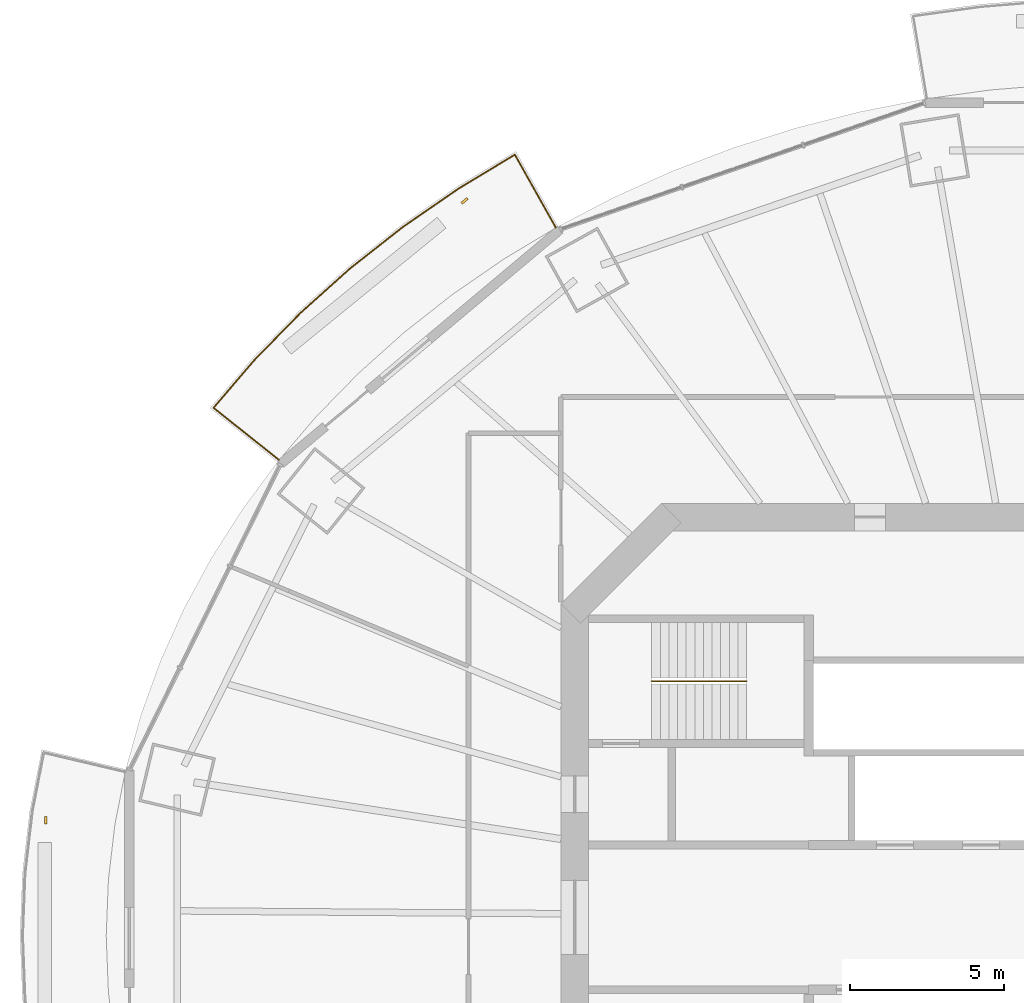
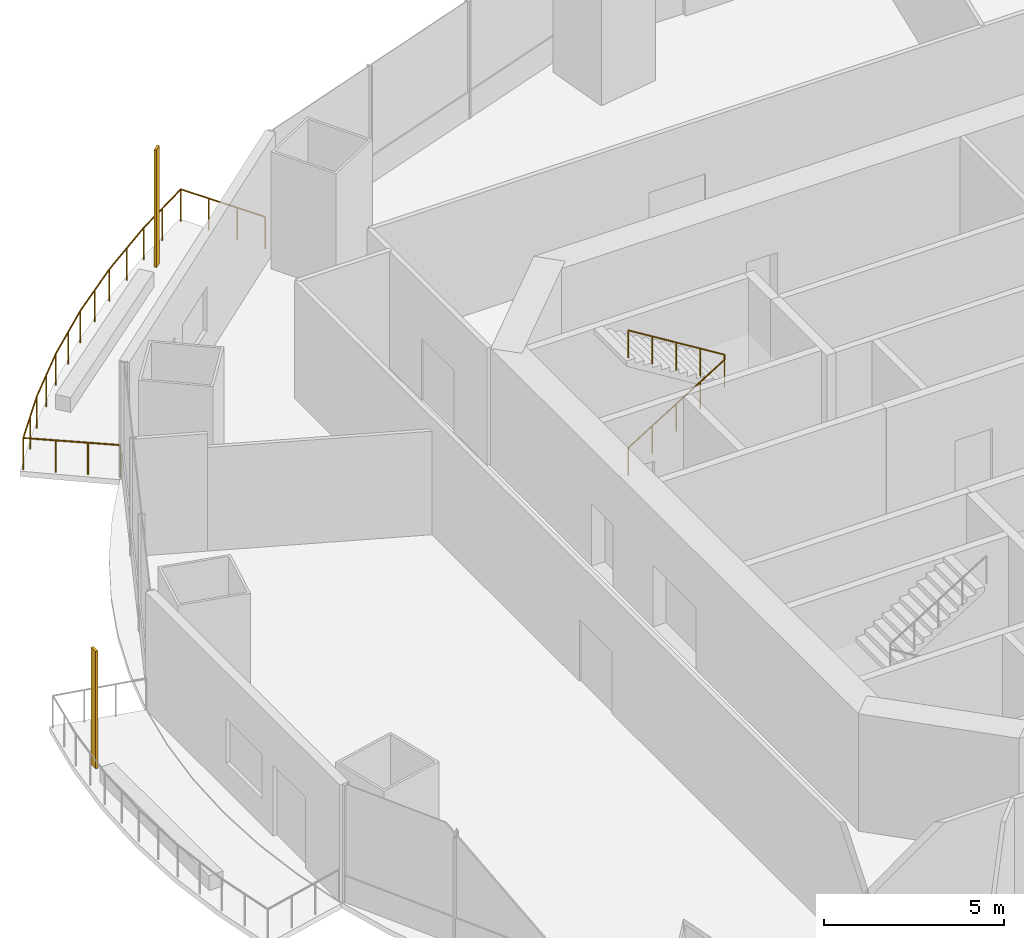
# One storey, part 18 of 21: 2 railings, 2 shading devices.
"""IFC4 building model written with IfcOpenShell, lengths in metres."""

from ifc_helpers import new_model, si_unit, direction, frame, origin, origin_2d, place, context, subcontext, project, spatial, rectangle, circle, extrude, material, material_profile, profile_set, type_object, element, save


model = new_model("IFC4")

# Units and contexts
model_context = context("Model", 3, precision=1e-05, world=origin(), true_north=direction((0.0, 1.0)))
body_context = subcontext(model_context, "Body", "Model", "MODEL_VIEW")
ifc_project = project(units=[si_unit("LENGTHUNIT", "METRE"), si_unit("AREAUNIT", "SQUARE_METRE"), si_unit("VOLUMEUNIT", "CUBIC_METRE"), si_unit("PLANEANGLEUNIT", "RADIAN"), si_unit("MASSUNIT", "GRAM", prefix="KILO")], contexts=[model_context])

# Site, building, storey
site_placement = place(None, origin())
site = spatial("IfcSite", under=ifc_project, at=site_placement, CompositionType="ELEMENT")
building_placement = place(site_placement, origin())
building = spatial("IfcBuilding", under=site, at=building_placement, Name="Marenthal Gate Tower", CompositionType="ELEMENT")
storey_placement = place(building_placement, frame((0.0, 0.0, 169.35009765625)))
storey = spatial("IfcBuildingStorey", under=building, at=storey_placement, Name="L36", CompositionType="ELEMENT", Elevation=169.35009765625)

# Railings
ifc_material_1 = material(Name="Stainless steel", Category="steel")
railing_type_1 = type_object("IfcRailingType", Name="Balcony guard 1100", PredefinedType="GUARDRAIL", material=ifc_material_1)
railing_1_placement = place(storey_placement, frame((-25.6044921875, 14.858642578125, 0.0)))
element("IfcRailing", 1, at=railing_1_placement, inside=storey, type_object=railing_type_1, Name="Balcony guard L36 bay 6", PredefinedType="GUARDRAIL", context=body_context, shape_type="SweptSolid", body=[
    extrude(circle(Radius=0.02392578125, at=origin_2d()), frame((0.0, 0.0, 1.076171875), z_axis=(-0.782541115897, 0.622424892619, -0.014719204382), x_axis=(-0.622492329303, -0.782625900388, 0.0)), (0.0, 0.0, 1.0), 2.72021484375),
    extrude(circle(Radius=0.02392578125, at=origin_2d()), frame((-2.128662109375, 1.693115234375, 1.0361328125), z_axis=(0.650279703498, 0.759694877709, 0.0), x_axis=(-0.759694877709, 0.650279703498, 0.0)), (0.0, 0.0, 1.0), 2.0439453125),
    extrude(circle(Radius=0.02392578125, at=origin_2d()), frame((-0.799560546875, 3.245849609375, 1.0361328125), z_axis=(0.699140939345, 0.714983878792, 0.0), x_axis=(-0.714983878792, 0.699140939345, 0.0)), (0.0, 0.0, 1.0), 2.14208984375),
    extrude(circle(Radius=0.02392578125, at=origin_2d()), frame((0.697998046875, 4.77734375, 1.0361328125), z_axis=(0.744641092112, 0.66746508818, 0.0), x_axis=(-0.66746508818, 0.744641092112, 0.0)), (0.0, 0.0, 1.0), 2.16064453125),
    extrude(circle(Radius=0.02392578125, at=origin_2d()), frame((2.306884765625, 6.219482421875, 1.0361328125), z_axis=(0.786162827468, 0.618019424215, 0.0), x_axis=(-0.618019424215, 0.786162827468, 0.0)), (0.0, 0.0, 1.0), 2.179443359375),
    extrude(circle(Radius=0.02392578125, at=origin_2d()), frame((4.020263671875, 7.56640625, 1.0361328125), z_axis=(0.823545660097, 0.567249985223, 0.0), x_axis=(-0.567249985223, 0.823545660097, 0.0)), (0.0, 0.0, 1.0), 2.197509765625),
    extrude(circle(Radius=0.02392578125, at=origin_2d()), frame((5.830078125, 8.81298828125, 1.0361328125), z_axis=(0.856361121068, 0.516377410741, 0.0), x_axis=(-0.516377410741, 0.856361121068, 0.0)), (0.0, 0.0, 1.0), 2.135498046875),
    extrude(circle(Radius=0.02392578125, at=origin_2d()), frame((7.658935546875, 9.915771484375, 1.0361328125), z_axis=(0.489411085686, -0.871928974406, 0.014719130397), x_axis=(0.872023442683, 0.489464110443, 0.0)), (0.0, 0.0, 1.0), 2.72021484375),
    extrude(circle(Radius=0.02099609375, at=origin_2d()), origin(), (0.0, 0.0, 1.0), 1.052001953125),
    extrude(circle(Radius=0.02099609375, at=origin_2d()), frame((-0.70947265625, 0.564453125, -0.013427734375)), (0.0, 0.0, 1.0), 1.052001953125),
    extrude(circle(Radius=0.02099609375, at=origin_2d()), frame((-1.419189453125, 1.128662109375, -0.026611328125)), (0.0, 0.0, 1.0), 1.052001953125),
    extrude(circle(Radius=0.02099609375, at=origin_2d()), frame((-2.128662109375, 1.693115234375, -0.0400390625)), (0.0, 0.0, 1.0), 1.052001953125),
    extrude(circle(Radius=0.02099609375, at=origin_2d()), frame((-1.464111328125, 2.469482421875, -0.0400390625)), (0.0, 0.0, 1.0), 1.052001953125),
    extrude(circle(Radius=0.02099609375, at=origin_2d()), frame((-0.799560546875, 3.245849609375, -0.0400390625)), (0.0, 0.0, 1.0), 1.052001953125),
    extrude(circle(Radius=0.02099609375, at=origin_2d()), frame((-0.05078125, 4.01171875, -0.0400390625)), (0.0, 0.0, 1.0), 1.052001953125),
    extrude(circle(Radius=0.02099609375, at=origin_2d()), frame((0.697998046875, 4.77734375, -0.0400390625)), (0.0, 0.0, 1.0), 1.052001953125),
    extrude(circle(Radius=0.02099609375, at=origin_2d()), frame((1.50244140625, 5.49853515625, -0.0400390625)), (0.0, 0.0, 1.0), 1.052001953125),
    extrude(circle(Radius=0.02099609375, at=origin_2d()), frame((2.306884765625, 6.219482421875, -0.0400390625)), (0.0, 0.0, 1.0), 1.052001953125),
    extrude(circle(Radius=0.02099609375, at=origin_2d()), frame((3.16357421875, 6.89306640625, -0.0400390625)), (0.0, 0.0, 1.0), 1.052001953125),
    extrude(circle(Radius=0.02099609375, at=origin_2d()), frame((4.020263671875, 7.56640625, -0.0400390625)), (0.0, 0.0, 1.0), 1.052001953125),
    extrude(circle(Radius=0.02099609375, at=origin_2d()), frame((4.92529296875, 8.189697265625, -0.0400390625)), (0.0, 0.0, 1.0), 1.052001953125),
    extrude(circle(Radius=0.02099609375, at=origin_2d()), frame((5.830078125, 8.81298828125, -0.0400390625)), (0.0, 0.0, 1.0), 1.052001953125),
    extrude(circle(Radius=0.02099609375, at=origin_2d()), frame((6.74462890625, 9.3642578125, -0.0400390625)), (0.0, 0.0, 1.0), 1.052001953125),
    extrude(circle(Radius=0.02099609375, at=origin_2d()), frame((7.658935546875, 9.915771484375, -0.0400390625)), (0.0, 0.0, 1.0), 1.052001953125),
    extrude(circle(Radius=0.02099609375, at=origin_2d()), frame((8.102783203125, 9.125244140625, -0.026611328125)), (0.0, 0.0, 1.0), 1.052001953125),
    extrude(circle(Radius=0.02099609375, at=origin_2d()), frame((8.54638671875, 8.33447265625, -0.013427734375)), (0.0, 0.0, 1.0), 1.052001953125),
    extrude(circle(Radius=0.02099609375, at=origin_2d()), frame((8.990234375, 7.5439453125, 0.0)), (0.0, 0.0, 1.0), 1.052001953125),
])
ifc_material_2 = material(Name="Stainless steel", Category="steel")
railing_type_2 = type_object("IfcRailingType", Name="Stair handrail", PredefinedType="HANDRAIL", material=ifc_material_2)
railing_2_placement = place(storey_placement, frame((-13.5, 7.675048828125, 0.1728515625)))
element("IfcRailing", 2, at=railing_2_placement, inside=storey, type_object=railing_type_2, Name="Handrail ST1", PredefinedType="HANDRAIL", context=body_context, shape_type="SweptSolid", body=[
    extrude(circle(Radius=0.0224609375, at=origin_2d()), frame((0.0, 0.0, 0.927490234375), z_axis=(0.850835241893, 0.0, 0.525432575268), x_axis=(0.0, 1.0, 0.0)), (0.0, 0.0, 1.0), 3.6201171875),
    extrude(circle(Radius=0.0224609375, at=origin_2d()), frame((3.080078125, 0.0, 2.82958984375), z_axis=(0.0, 0.0, 1.0), x_axis=(1.0, 0.0, 0.0)), (0.0, 0.0, 1.0), 0.1728515625),
    extrude(circle(Radius=0.0224609375, at=origin_2d()), frame((3.080078125, 0.0, 3.00244140625), z_axis=(-0.850835241893, 0.0, 0.525432575268), x_axis=(0.0, -1.0, 0.0)), (0.0, 0.0, 1.0), 3.6201171875),
    extrude(circle(Radius=0.02001953125, at=origin_2d()), origin(), (0.0, 0.0, 1.0), 0.905029296875),
    extrude(circle(Radius=0.02001953125, at=origin_2d()), frame((0.77001953125, 0.0, 0.4755859375)), (0.0, 0.0, 1.0), 0.905029296875),
    extrude(circle(Radius=0.02001953125, at=origin_2d()), frame((1.5400390625, 0.0, 0.951171875)), (0.0, 0.0, 1.0), 0.905029296875),
    extrude(circle(Radius=0.02001953125, at=origin_2d()), frame((2.31005859375, 0.0, 1.426513671875)), (0.0, 0.0, 1.0), 0.905029296875),
    extrude(circle(Radius=0.02001953125, at=origin_2d()), frame((3.080078125, 0.0, 1.902099609375)), (0.0, 0.0, 1.0), 0.905029296875),
    extrude(circle(Radius=0.02001953125, at=origin_2d()), frame((3.080078125, 0.0, 2.074951171875)), (0.0, 0.0, 1.0), 0.905029296875),
    extrude(circle(Radius=0.02001953125, at=origin_2d()), frame((2.31005859375, 0.0, 2.550537109375)), (0.0, 0.0, 1.0), 0.905029296875),
    extrude(circle(Radius=0.02001953125, at=origin_2d()), frame((1.5400390625, 0.0, 3.02587890625)), (0.0, 0.0, 1.0), 0.905029296875),
    extrude(circle(Radius=0.02001953125, at=origin_2d()), frame((0.77001953125, 0.0, 3.50146484375)), (0.0, 0.0, 1.0), 0.905029296875),
    extrude(circle(Radius=0.02001953125, at=origin_2d()), frame((0.0, 0.0, 3.97705078125)), (0.0, 0.0, 1.0), 0.905029296875),
])

# Shading devices
ifc_material_3 = material(Name="Terracotta", Category="masonry")
ifc_material_profile = material_profile(ifc_material_3, rectangle(XDim=0.25, YDim=0.080078125, at=origin_2d()), Name="Terracotta baguette 250x80")
ifc_profile_set = profile_set([ifc_material_profile], Name="Terracotta")
shading_device_type = type_object("IfcShadingDeviceType", Name="Terracotta BAGUETTE SCREEN 250x80", PredefinedType="USERDEFINED", material=ifc_profile_set)
for number, where, z_axis, x_axis, name in (
    (3, (-19.5791015625, 23.2734375, -0.0400390625), (0.0, 0.0, 1.0), (-0.765921119211, -0.642934552771, 0.0), "Terracotta BAGUETTE L36 bay 6L"),
    (4, (-33.18701171875, 3.152099609375, -0.0400390625), (0.0, 0.0, 1.0), (0.0, -1.0, 0.0), "Terracotta BAGUETTE L36 bay 8L"),
):
    element("IfcShadingDevice", number, at=place(storey_placement, frame(where, z_axis=z_axis, x_axis=x_axis)), inside=storey, type_object=shading_device_type, Name=name, ObjectType="BAGUETTE SCREEN", PredefinedType="USERDEFINED", context=body_context, shape_type="SweptSolid", body=[
        extrude(rectangle(XDim=0.25, YDim=0.080078125, at=origin_2d()), origin(), (0.0, 0.0, 1.0), 3.969970703125),
    ])

save(model, "model.ifc")
